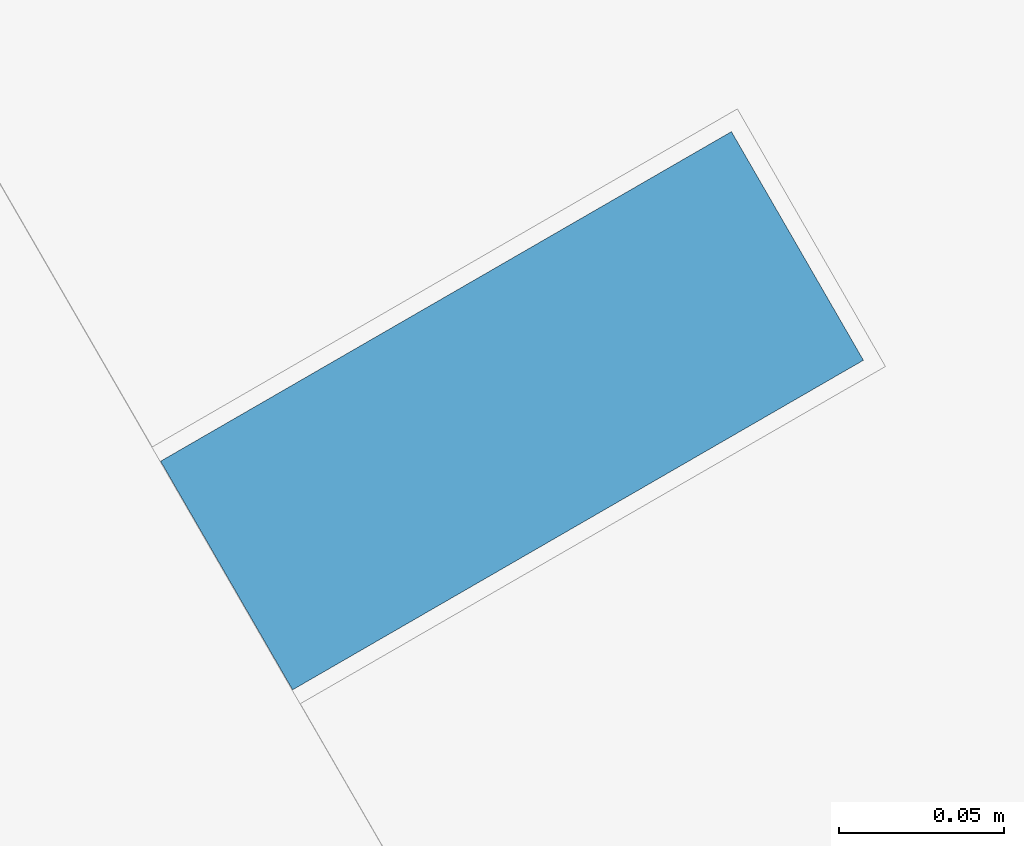
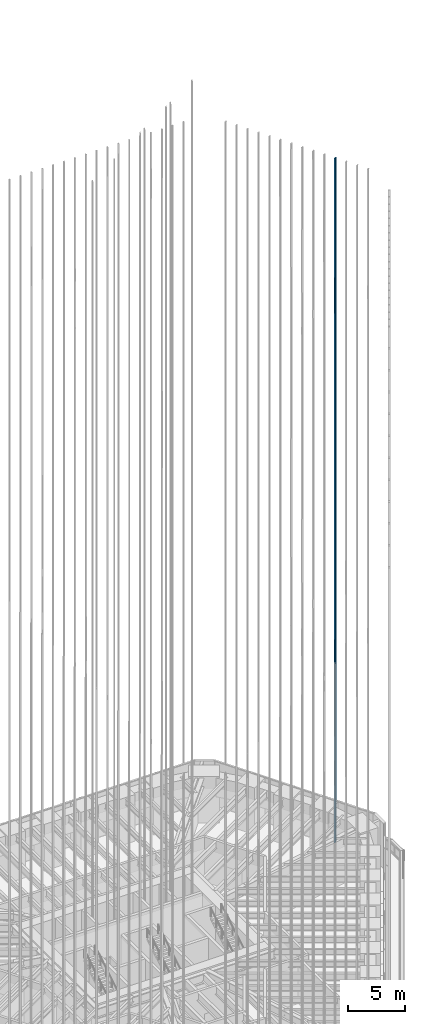
# One storey, part 184 of 228: 1 member, 1 element without a shape of its own.
"""IFC4 building model written with IfcOpenShell, lengths in metres."""

from ifc_helpers import new_model, si_unit, direction, frame, origin, origin_2d, place, context, subcontext, project, spatial, rectangle, extrude, material, material_profile, profile_set, type_object, element, aggregate, save


model = new_model("IFC4")

# Units and contexts
model_context = context("Model", 3, precision=1e-05, world=origin(), true_north=direction((0.0, 1.0)))
body_context = subcontext(model_context, "Body", "Model", "MODEL_VIEW")
ifc_project = project(units=[si_unit("LENGTHUNIT", "METRE"), si_unit("AREAUNIT", "SQUARE_METRE"), si_unit("VOLUMEUNIT", "CUBIC_METRE"), si_unit("PLANEANGLEUNIT", "RADIAN"), si_unit("MASSUNIT", "GRAM", prefix="KILO")], contexts=[model_context])

# Site, building, storey
site_placement = place(None, origin())
site = spatial("IfcSite", under=ifc_project, at=site_placement, CompositionType="ELEMENT")
building_placement = place(site_placement, origin())
building = spatial("IfcBuilding", under=site, at=building_placement, Name="Sandreach Pilgrim Tower", CompositionType="ELEMENT")
storey_placement = place(building_placement, frame((0.0, 0.0, 178.199951171875)))
storey = spatial("IfcBuildingStorey", under=building, at=storey_placement, Name="L44", CompositionType="ELEMENT", Elevation=178.199951171875)

# Curtain wall, member
ifc_material_1 = material(Name="Aluminium framed curtain wall", Category="aluminium")
curtain_wall_type = type_object("IfcCurtainWallType", Name="Upper hotel tower curtain wall", PredefinedType="NOTDEFINED", material=ifc_material_1)
curtain_wall_placement = place(storey_placement, origin())
curtain_wall = element("IfcCurtainWall", 1, at=curtain_wall_placement, inside=storey, type_object=curtain_wall_type, Name="CW-3 L44 NE", PredefinedType="NOTDEFINED")
ifc_material_2 = material(Name="Extruded terracotta on aluminium core", Category="masonry")
ifc_material_profile = material_profile(ifc_material_2, rectangle(XDim=0.080078125, YDim=0.199951171875, at=origin_2d()), Name="TBE 80X200")
ifc_profile_set = profile_set([ifc_material_profile], Name="Extruded terracotta on aluminium core")
member_type = type_object("IfcMemberType", Name="Terracotta baguette east", PredefinedType="USERDEFINED", material=ifc_profile_set)
member_placement = place(storey_placement, frame((25.26123046875, 10.0966796875, 0.0), z_axis=(0.0, 0.0, 1.0), x_axis=(0.5, -0.866025403784, 0.0)))
member = element("IfcMember", 2, at=member_placement, type_object=member_type, Name="Baguette Z3 NE11", ObjectType="BAGUETTE", PredefinedType="USERDEFINED", context=body_context, shape_type="SweptSolid", body=[
    extrude(rectangle(XDim=0.080078125, YDim=0.199951171875, at=origin_2d()), origin(), (0.0, 0.0, 1.0), 73.239990234375),
])
aggregate(curtain_wall, [member])

save(model, "model.ifc")
